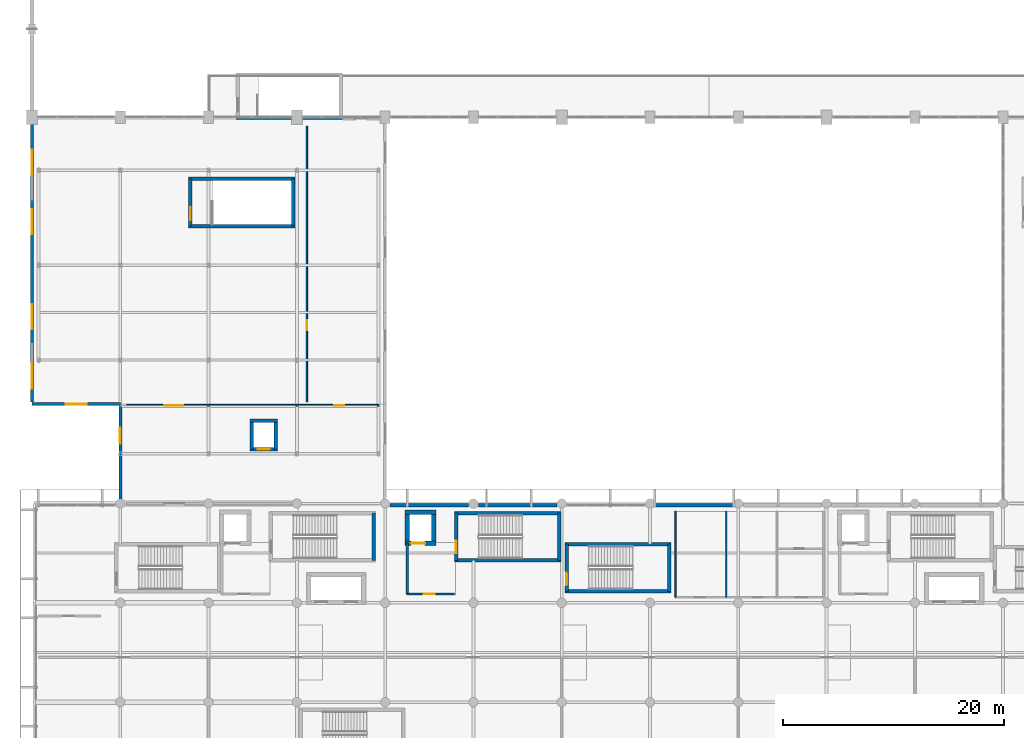
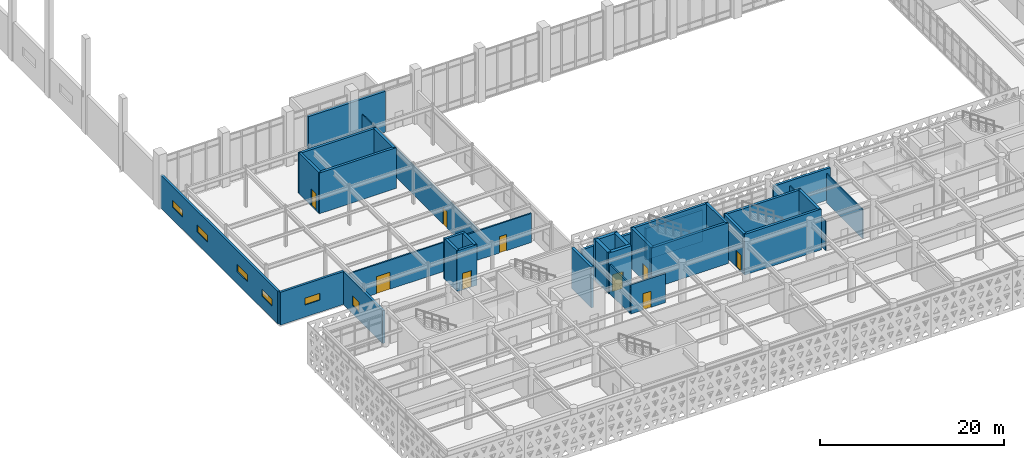
# One storey, part 62 of 84: 34 walls, 9 doors, 6 windows, 15 openings.
"""IFC4 building model written with IfcOpenShell, lengths in metres."""

import ifcopenshell
import ifcopenshell.guid

model = None  # the IFC model being written
_history = None  # IfcOwnerHistory: only IFC2X3 demands one
_inside = {}  # id of a spatial element -> (the spatial element, [elements in it])
_under = {}  # id of a project, library or spatial element -> (it, [spatial elements below it])
_declared = {}  # id of a project -> (the project, [libraries it declares])
_typed = {}  # id of a type object -> (the type object, [elements of that type])
_made_of = {}  # id of a material, layer set ... -> (it, [elements and type objects made of it])


def new_model(schema):
    """Start an empty IFC model of exactly this schema.

    Asked for "IFC4X3", IfcOpenShell would pick the latest addendum, in which some entities
    have other attributes; the version numbers below select the first issue.
    IFC2X3 requires an IfcOwnerHistory on every rooted entity: one is made here for all.
    """
    global model, _history
    if schema == "IFC4X3":
        model = ifcopenshell.file(schema_version=(4, 3, 0, 0))
    else:
        model = ifcopenshell.file(schema=schema)
    _inside.clear()
    _under.clear()
    _declared.clear()
    _typed.clear()
    _made_of.clear()
    _history = None
    if model.schema == "IFC2X3":
        org = make("IfcOrganization", Name="unknown")
        user = make(
            "IfcPersonAndOrganization",
            ThePerson=make("IfcPerson", FamilyName="unknown"),
            TheOrganization=org,
        )
        app = make(
            "IfcApplication",
            ApplicationDeveloper=org,
            Version="unknown",
            ApplicationFullName="unknown",
            ApplicationIdentifier="unknown",
        )
        _history = make(
            "IfcOwnerHistory",
            OwningUser=user,
            OwningApplication=app,
            ChangeAction="ADDED",
            CreationDate=0,
        )
    return model


def make(cls, **values):
    """One entity of the class cls with the attributes given. An attribute that is None is left unset."""
    return model.create_entity(
        cls, **{name: value for name, value in values.items() if value is not None}
    )


def rooted(cls, **values):
    """An entity with a GlobalId (a new one), such as an element, a storey or a relation."""
    return make(cls, GlobalId=ifcopenshell.guid.new(), OwnerHistory=_history, **values)


def si_unit(unit_type, name, prefix=None):
    """IfcSIUnit, for example si_unit("LENGTHUNIT", "METRE", prefix="MILLI")."""
    return make("IfcSIUnit", UnitType=unit_type, Prefix=prefix, Name=name)


def assignment(units):
    """IfcUnitAssignment: the units of a project."""
    return None if units is None else make("IfcUnitAssignment", Units=units)


def point(xyz):
    """IfcCartesianPoint."""
    return None if xyz is None else make("IfcCartesianPoint", Coordinates=xyz)


def direction(xyz):
    """IfcDirection."""
    return None if xyz is None else make("IfcDirection", DirectionRatios=xyz)


def frame(location, z_axis=None, x_axis=None):
    """IfcAxis2Placement3D, a coordinate frame: its origin and axes. An axis left out is left unset."""
    return make(
        "IfcAxis2Placement3D",
        Location=point(location),
        Axis=direction(z_axis),
        RefDirection=direction(x_axis),
    )


def frame_2d(location, x_axis=None):
    """IfcAxis2Placement2D, a coordinate frame in the plane: its origin and x axis."""
    return make(
        "IfcAxis2Placement2D", Location=point(location), RefDirection=direction(x_axis)
    )


def origin():
    """The frame at (0, 0, 0) with its axes left unset."""
    return frame((0.0, 0.0, 0.0))


def place(relative_to, where):
    """IfcLocalPlacement: puts the frame where relative to a parent placement (None: the world)."""
    return make(
        "IfcLocalPlacement", PlacementRelTo=relative_to, RelativePlacement=where
    )


def context(
    kind, dimensions, precision=None, world=None, true_north=None, identifier=None
):
    """IfcGeometricRepresentationContext, for example the 3D "Model" context."""
    return make(
        "IfcGeometricRepresentationContext",
        ContextIdentifier=identifier,
        ContextType=kind,
        CoordinateSpaceDimension=dimensions,
        Precision=precision,
        WorldCoordinateSystem=world,
        TrueNorth=true_north,
    )


def subcontext(parent, identifier, kind, view, scale=None):
    """IfcGeometricRepresentationSubContext, for example "Body" below "Model"."""
    return make(
        "IfcGeometricRepresentationSubContext",
        ContextIdentifier=identifier,
        ContextType=kind,
        ParentContext=parent,
        TargetScale=scale,
        TargetView=view,
    )


def project(units=None, contexts=None):
    """IfcProject with its units and contexts."""
    return rooted(
        "IfcProject",
        Name="project",
        RepresentationContexts=contexts,
        UnitsInContext=assignment(units),
    )


def spatial(cls, under=None, at=None, **own):
    """A site, building, storey or space (cls), placed at a placement, below another one or the project."""
    s = rooted(cls, ObjectPlacement=at, **own)
    if under is not None:
        _under.setdefault(under.id(), (under, []))[1].append(s)
    return s


def profile(cls, at=None, kind="AREA", **sizes):
    """A parametric profile (cls). Its sizes go by their IFC names, for example OverallWidth=200.0."""
    return make(cls, ProfileType=kind, Position=at, **sizes)


def rectangle(**sizes):
    """IfcRectangleProfileDef."""
    return profile("IfcRectangleProfileDef", **sizes)


def extrude(swept, where, along, depth):
    """IfcExtrudedAreaSolid: the profile swept, set in the frame where, extruded along a direction by depth."""
    return make(
        "IfcExtrudedAreaSolid",
        SweptArea=swept,
        Position=where,
        ExtrudedDirection=direction(along),
        Depth=depth,
    )


def shape(context_of_items, identifier, shape_type, items):
    """IfcShapeRepresentation: the items that make up one representation, for example the "Body"."""
    return make(
        "IfcShapeRepresentation",
        ContextOfItems=context_of_items,
        RepresentationIdentifier=identifier,
        RepresentationType=shape_type,
        Items=items,
    )


def material(Name=None, Category=None):
    """IfcMaterial."""
    return make("IfcMaterial", Name=Name, Category=Category)


def layer(
    of_material, thickness, ventilated=None, Name=None, Category=None, Priority=None
):
    """IfcMaterialLayer: one layer of a wall or slab, of a material (None: an air gap)."""
    return make(
        "IfcMaterialLayer",
        Material=of_material,
        LayerThickness=thickness,
        IsVentilated=ventilated,
        Name=Name,
        Category=Category,
        Priority=Priority,
    )


def layer_set(layers, Name=None):
    """IfcMaterialLayerSet."""
    return make("IfcMaterialLayerSet", MaterialLayers=layers, LayerSetName=Name)


def made_of(thing, what):
    """Note that an element or type object is made of a material, layer set ...; save() writes the relation."""
    if what is not None:
        _made_of.setdefault(what.id(), (what, []))[1].append(thing)
    return thing


def type_object(cls, material=None, **own):
    """A type object (cls), such as IfcWallType, which elements share."""
    return made_of(rooted(cls, **own), material)


def element(
    cls,
    number,
    at=None,
    inside=None,
    cuts=None,
    type_object=None,
    material=None,
    context=None,
    identifier="Body",
    shape_type=None,
    held_by="IfcProductDefinitionShape",
    body=None,
    shapes=None,
    **own,
):
    """One element of the class cls, such as IfcWall. Its Tag is "e" and its number.

    at: its placement. inside: the storey or other place that contains it. cuts: it is an
    opening in that element (IfcRelVoidsElement). A single representation is given by context,
    identifier, shape_type and body (its items); several are given by shapes. held_by: the class
    of the entity that holds the representations. save() writes the other relations.
    """
    e = rooted(cls, Tag="e%d" % number, ObjectPlacement=at, **own)
    if body is not None:
        shapes = [shape(context, identifier, shape_type, body)]
    if shapes is not None:
        e.Representation = make(held_by, Representations=shapes)
    if inside is not None:
        _inside.setdefault(inside.id(), (inside, []))[1].append(e)
    if cuts is not None:
        rooted(
            "IfcRelVoidsElement", RelatingBuildingElement=cuts, RelatedOpeningElement=e
        )
    if type_object is not None:
        _typed.setdefault(type_object.id(), (type_object, []))[1].append(e)
    return made_of(e, material)


def fill(opening, filler):
    """IfcRelFillsElement: the door or window that sits in an opening."""
    return rooted(
        "IfcRelFillsElement",
        RelatingOpeningElement=opening,
        RelatedBuildingElement=filler,
    )


def aggregate(whole, parts):
    """IfcRelAggregates: a whole, such as a stair, and the parts it consists of."""
    return rooted("IfcRelAggregates", RelatingObject=whole, RelatedObjects=parts)


def save(model, path):
    """Write the relations noted so far, then the file.

    IfcRelAggregates (storeys below a building ...), IfcRelContainedInSpatialStructure (elements
    in a storey), IfcRelDefinesByType, IfcRelAssociatesMaterial and IfcRelDeclares: one each for
    every whole, place, type object, material and project.
    """
    for whole, parts in _under.values():
        aggregate(whole, parts)
    for where, things in _inside.values():
        rooted(
            "IfcRelContainedInSpatialStructure",
            RelatedElements=things,
            RelatingStructure=where,
        )
    for kind, things in _typed.values():
        rooted("IfcRelDefinesByType", RelatedObjects=things, RelatingType=kind)
    for what, things in _made_of.values():
        rooted("IfcRelAssociatesMaterial", RelatedObjects=things, RelatingMaterial=what)
    for by, libraries in _declared.values():
        rooted("IfcRelDeclares", RelatingContext=by, RelatedDefinitions=libraries)
    model.write(path)


model = new_model("IFC4")

# Units and contexts
model_context = context("Model", 3, precision=1e-05, world=origin(), true_north=direction((0.0, 1.0)))
body_context = subcontext(model_context, "Body", "Model", "MODEL_VIEW")
ifc_project = project(units=[si_unit("LENGTHUNIT", "METRE"), si_unit("AREAUNIT", "SQUARE_METRE"), si_unit("VOLUMEUNIT", "CUBIC_METRE"), si_unit("PLANEANGLEUNIT", "RADIAN"), si_unit("MASSUNIT", "GRAM", prefix="KILO")], contexts=[model_context])

# Site, building, storey
site_placement = place(None, origin())
site = spatial("IfcSite", under=ifc_project, at=site_placement, CompositionType="ELEMENT")
building_placement = place(site_placement, origin())
building = spatial("IfcBuilding", under=site, at=building_placement, Name="Tlacozan Convention Centre", CompositionType="ELEMENT")
storey_placement = place(building_placement, frame((0.0, 0.0, 6.0)))
storey = spatial("IfcBuildingStorey", under=building, at=storey_placement, Name="L01", CompositionType="ELEMENT", Elevation=6.0)

# Walls
ifc_material_1 = material(Name="Volcanic Cantera Stone Masonry", Category="masonry")
ifc_layer_1 = layer(ifc_material_1, 0.300048828125)
ifc_layer_set_1 = layer_set([ifc_layer_1], Name="Volcanic Cantera Stone Masonry")
wall_type_1 = type_object("IfcWallType", Name="Congress Spandrel Backup Wall 300", PredefinedType="SOLIDWALL", material=ifc_layer_set_1)
for number, where, z_axis, x_axis, name in (
    (1, (32.449951171875, 26.840087890625, 0.0), (0.0, 0.0, 1.0), (1.0, 0.0, 0.0), "L01 Congress Spandrel Backup Wall 300 110"),
    (2, (40.449951171875, 26.840087890625, 0.0), (0.0, 0.0, 1.0), (1.0, 0.0, 0.0), "L01 Congress Spandrel Backup Wall 300 111"),
    (3, (56.449951171875, 26.840087890625, 0.0), (0.0, 0.0, 1.0), (1.0, 0.0, 0.0), "L01 Congress Spandrel Backup Wall 300 112"),
):
    element("IfcWall", number, at=place(storey_placement, frame(where, z_axis=z_axis, x_axis=x_axis)), inside=storey, type_object=wall_type_1, Name=name, PredefinedType="SOLIDWALL", context=body_context, shape_type="SweptSolid", body=[
        extrude(rectangle(XDim=7.10009765625, YDim=0.300048828125, at=frame_2d((3.550048828125, 0.0))), origin(), (0.0, 0.0, 1.0), 4.179931640625),
    ])

# Wall, opening, door
ifc_material_2 = material(Name="Concrete C40/50", Category="concrete")
ifc_layer_2 = layer(ifc_material_2, 0.409912109375)
ifc_layer_set_2 = layer_set([ifc_layer_2], Name="Concrete C40/50")
wall_type_2 = type_object("IfcWallType", Name="Core Shear Wall RC 410", PredefinedType="SHEAR", material=ifc_layer_set_2)
wall_1_placement = place(storey_placement, frame((33.77490234375, 23.3798828125, 0.0), z_axis=(0.0, 0.0, 1.0), x_axis=(1.0, 0.0, 0.0)))
wall_1 = element("IfcWall", 4, at=wall_1_placement, inside=storey, type_object=wall_type_2, Name="L01 Core Shear Wall RC 410 195", PredefinedType="SHEAR", context=body_context, shape_type="SweptSolid", body=[
    extrude(rectangle(XDim=2.85009765625, YDim=0.409912109375, at=frame_2d((1.425048828125, 0.0))), origin(), (0.0, 0.0, 1.0), 5.39990234375),
])
opening_1_placement = place(wall_1_placement, frame((0.550048828125, 0.0, 0.0)))
opening_1 = element("IfcOpeningElement", 5, at=opening_1_placement, cuts=wall_1, Name="Opening LD-02", PredefinedType="OPENING", context=body_context, shape_type="SweptSolid", body=[
    extrude(rectangle(XDim=1.300048828125, YDim=2.25, at=frame_2d((0.64990234375, 1.125))), frame((0.0, 0.21484375, 0.0), z_axis=(0.0, -1.0, 0.0), x_axis=(1.0, 0.0, 0.0)), (0.0, 0.0, 1.0), 0.429931640625),
])
ifc_material_3 = material(Name="Brushed Stainless Steel Sliding Landing Door", Category="steel")
door_type_1 = type_object("IfcDoorType", Name="Firefighting Lift Sliding Door 1300x2250", OperationType="DOUBLE_DOOR_SLIDING", PredefinedType="DOOR", material=ifc_material_3)
door_1_placement = place(opening_1_placement, origin())
door_1 = element("IfcDoor", 6, at=door_1_placement, inside=storey, type_object=door_type_1, Name="L01 Firefighting Lift FL-03 Landing Door", OperationType="DOUBLE_DOOR_SLIDING", OverallHeight=2.25, OverallWidth=1.300048828125, PredefinedType="DOOR", context=body_context, shape_type="SweptSolid", body=[
    extrude(rectangle(XDim=1.300048828125, YDim=2.25, at=frame_2d((0.64990234375, 1.125))), frame((0.0, 0.02490234375, 0.0), z_axis=(0.0, -1.0, 0.0), x_axis=(1.0, 0.0, 0.0)), (0.0, 0.0, 1.0), 0.050048828125),
])
fill(opening_1, door_1)

# Walls
wall_2_placement = place(storey_placement, frame((33.77490234375, 26.219970703125, 0.0), z_axis=(0.0, 0.0, 1.0), x_axis=(1.0, 0.0, 0.0)))
element("IfcWall", 7, at=wall_2_placement, inside=storey, type_object=wall_type_2, Name="L01 Core Shear Wall RC 410 196", PredefinedType="SHEAR", context=body_context, shape_type="SweptSolid", body=[
    extrude(rectangle(XDim=2.85009765625, YDim=0.409912109375, at=frame_2d((1.425048828125, 0.0))), origin(), (0.0, 0.0, 1.0), 5.39990234375),
])
for number, where, z_axis, x_axis, name in (
    (8, (33.97998046875, 23.3798828125, 0.0), (0.0, 0.0, 1.0), (0.0, 1.0, 0.0), "L01 Core Shear Wall RC 410 197"),
    (9, (36.419921875, 23.3798828125, 0.0), (0.0, 0.0, 1.0), (0.0, 1.0, 0.0), "L01 Core Shear Wall RC 410 198"),
):
    element("IfcWall", number, at=place(storey_placement, frame(where, z_axis=z_axis, x_axis=x_axis)), inside=storey, type_object=wall_type_2, Name=name, PredefinedType="SHEAR", context=body_context, shape_type="SweptSolid", body=[
        extrude(rectangle(XDim=2.840087890625, YDim=0.409912109375, at=frame_2d((1.419921875, 0.0))), origin(), (0.0, 0.0, 1.0), 5.39990234375),
    ])

# Wall, openings, doors
ifc_material_4 = material(Name="Fire-Rated Gypsum Stud Partition Assembly")
ifc_layer_3 = layer(ifc_material_4, 0.179931640625)
ifc_layer_set_3 = layer_set([ifc_layer_3], Name="Fire-Rated Gypsum Stud Partition Assembly")
wall_type_3 = type_object("IfcWallType", Name="Corridor Rated Partition 180", PredefinedType="PARTITIONING", material=ifc_layer_set_3)
wall_3_placement = place(storey_placement, frame((8.60009765625, 35.89990234375, 0.0), z_axis=(0.0, 0.0, 1.0), x_axis=(1.0, 0.0, 0.0)))
wall_3 = element("IfcWall", 10, at=wall_3_placement, inside=storey, type_object=wall_type_3, Name="L01 Corridor Rated Partition 180 628", PredefinedType="PARTITIONING", context=body_context, shape_type="SweptSolid", body=[
    extrude(rectangle(XDim=22.7998046875, YDim=0.179931640625, at=frame_2d((11.39990234375, 0.0))), origin(), (0.0, 0.0, 1.0), 3.85009765625),
])
opening_2_placement = place(wall_3_placement, frame((3.39990234375, 0.0, 0.0)))
opening_2 = element("IfcOpeningElement", 11, at=opening_2_placement, cuts=wall_3, Name="Opening ID-11", PredefinedType="OPENING", context=body_context, shape_type="SweptSolid", body=[
    extrude(rectangle(XDim=1.699951171875, YDim=2.25, at=frame_2d((0.85009765625, 1.125))), frame((0.0, 0.099853515625, 0.0), z_axis=(0.0, -1.0, 0.0), x_axis=(1.0, 0.0, 0.0)), (0.0, 0.0, 1.0), 0.199951171875),
])
opening_3_placement = place(wall_3_placement, frame((18.800048828125, 0.0, 0.0)))
opening_3 = element("IfcOpeningElement", 12, at=opening_3_placement, cuts=wall_3, Name="Opening ID-03", PredefinedType="OPENING", context=body_context, shape_type="SweptSolid", body=[
    extrude(rectangle(XDim=0.89990234375, YDim=2.14990234375, at=frame_2d((0.449951171875, 1.074951171875))), frame((0.0, 0.099853515625, 0.0), z_axis=(0.0, -1.0, 0.0), x_axis=(1.0, 0.0, 0.0)), (0.0, 0.0, 1.0), 0.199951171875),
])
ifc_material_5 = material(Name="Acoustic Solid-Core Oak Veneer Door")
door_type_2 = type_object("IfcDoorType", Name="Banquet Kitchen Double Swing Door 1700x2250", OperationType="DOUBLE_SWING_LEFT", PredefinedType="DOOR", material=ifc_material_5)
door_2_placement = place(opening_2_placement, origin())
door_2 = element("IfcDoor", 13, at=door_2_placement, inside=storey, type_object=door_type_2, Name="L01 Banquet Kitchen Double Swing Door 1700x2250 230", OperationType="DOUBLE_SWING_LEFT", OverallHeight=2.25, OverallWidth=1.699951171875, PredefinedType="DOOR", context=body_context, shape_type="SweptSolid", body=[
    extrude(rectangle(XDim=1.699951171875, YDim=2.25, at=frame_2d((0.85009765625, 1.125))), frame((0.0, 0.02490234375, 0.0), z_axis=(0.0, -1.0, 0.0), x_axis=(1.0, 0.0, 0.0)), (0.0, 0.0, 1.0), 0.050048828125),
])
fill(opening_2, door_2)
door_type_3 = type_object("IfcDoorType", Name="Office Single Door 900x2150", OperationType="NOTDEFINED", PredefinedType="DOOR", material=ifc_material_5)
door_3_placement = place(opening_3_placement, origin())
door_3 = element("IfcDoor", 14, at=door_3_placement, inside=storey, type_object=door_type_3, Name="L01 Office Single Door 900x2150 231", OperationType="SINGLE_SWING_RIGHT", OverallHeight=2.14990234375, OverallWidth=0.89990234375, PredefinedType="DOOR", context=body_context, shape_type="SweptSolid", body=[
    extrude(rectangle(XDim=0.89990234375, YDim=2.14990234375, at=frame_2d((0.449951171875, 1.074951171875))), frame((0.0, 0.02490234375, 0.0), z_axis=(0.0, -1.0, 0.0), x_axis=(1.0, 0.0, 0.0)), (0.0, 0.0, 1.0), 0.050048828125),
])
fill(opening_3, door_3)

# Wall, opening, door
ifc_layer_4 = layer(ifc_material_4, 0.2099609375)
ifc_layer_set_4 = layer_set([ifc_layer_4], Name="Fire-Rated Gypsum Stud Partition Assembly")
wall_type_4 = type_object("IfcWallType", Name="Firefighting Lobby Rated Wall 210", PredefinedType="PARTITIONING", material=ifc_layer_set_4)
wall_4_placement = place(storey_placement, frame((34.0, 18.800048828125, 0.0), z_axis=(0.0, 0.0, 1.0), x_axis=(1.0, 0.0, 0.0)))
wall_4 = element("IfcWall", 15, at=wall_4_placement, inside=storey, type_object=wall_type_4, Name="L01 Firefighting Lobby Rated Wall 210 193", PredefinedType="PARTITIONING", context=body_context, shape_type="SweptSolid", body=[
    extrude(rectangle(XDim=4.300048828125, YDim=0.2099609375, at=frame_2d((2.14990234375, 0.0))), origin(), (0.0, 0.0, 1.0), 3.85009765625),
])
opening_4_placement = place(wall_4_placement, frame((1.5, 0.0, 0.0)))
opening_4 = element("IfcOpeningElement", 16, at=opening_4_placement, cuts=wall_4, Name="Opening FD-01", PredefinedType="OPENING", context=body_context, shape_type="SweptSolid", body=[
    extrude(rectangle(XDim=1.0, YDim=2.14990234375, at=frame_2d((0.5, 1.074951171875))), frame((0.0, 0.114990234375, 0.0), z_axis=(0.0, -1.0, 0.0), x_axis=(1.0, 0.0, 0.0)), (0.0, 0.0, 1.0), 0.22998046875),
])
ifc_material_6 = material(Name="Fire-Rated Insulated Steel Door Leaf", Category="steel")
door_type_4 = type_object("IfcDoorType", Name="Fire Door Single 1000x2150 FD90", OperationType="NOTDEFINED", PredefinedType="DOOR", material=ifc_material_6)
door_4_placement = place(opening_4_placement, origin())
door_4 = element("IfcDoor", 17, at=door_4_placement, inside=storey, type_object=door_type_4, Name="L01 CORE-3 Firefighting Lobby Entry Door", OperationType="SINGLE_SWING_LEFT", OverallHeight=2.14990234375, OverallWidth=1.0, PredefinedType="DOOR", context=body_context, shape_type="SweptSolid", body=[
    extrude(rectangle(XDim=1.0, YDim=2.14990234375, at=frame_2d((0.5, 1.074951171875))), frame((0.0, 0.02490234375, 0.0), z_axis=(0.0, -1.0, 0.0), x_axis=(1.0, 0.0, 0.0)), (0.0, 0.0, 1.0), 0.050048828125),
])
fill(opening_4, door_4)

# Wall
wall_5_placement = place(storey_placement, frame((34.0, 18.800048828125, 0.0), z_axis=(0.0, 0.0, 1.0), x_axis=(0.0, 1.0, 0.0)))
element("IfcWall", 18, at=wall_5_placement, inside=storey, type_object=wall_type_4, Name="L01 Firefighting Lobby Rated Wall 210 194", PredefinedType="PARTITIONING", context=body_context, shape_type="SweptSolid", body=[
    extrude(rectangle(XDim=4.599853515625, YDim=0.2099609375, at=frame_2d((2.2998046875, 0.0))), origin(), (0.0, 0.0, 1.0), 3.85009765625),
])

# Wall, opening, window
ifc_material_7 = material(Name="Pale Lime-Render Masonry Assembly", Category="masonry")
ifc_layer_5 = layer(ifc_material_7, 0.280029296875)
ifc_layer_set_5 = layer_set([ifc_layer_5], Name="Pale Lime-Render Masonry Assembly")
wall_type_5 = type_object("IfcWallType", Name="Pale-Render Service Wing Wall 280", PredefinedType="SOLIDWALL", material=ifc_layer_set_5)
wall_6_placement = place(storey_placement, frame((0.0, 36.0, 0.0), z_axis=(0.0, 0.0, 1.0), x_axis=(1.0, 0.0, 0.0)))
wall_6 = element("IfcWall", 19, at=wall_6_placement, inside=storey, type_object=wall_type_5, Name="L01 Pale-Render Service Wing Wall 280 196", PredefinedType="SOLIDWALL", context=body_context, shape_type="SweptSolid", body=[
    extrude(rectangle(XDim=8.0, YDim=0.280029296875, at=frame_2d((4.0, 0.0))), origin(), (0.0, 0.0, 1.0), 4.35009765625),
])
opening_5_placement = place(wall_6_placement, frame((3.050048828125, 0.0, 1.60009765625)))
opening_5 = element("IfcOpeningElement", 20, at=opening_5_placement, cuts=wall_6, Name="Opening WN-14", PredefinedType="OPENING", context=body_context, shape_type="SweptSolid", body=[
    extrude(rectangle(XDim=1.89990234375, YDim=0.89990234375, at=frame_2d((0.949951171875, 0.449951171875))), frame((0.0, 0.14990234375, 0.0), z_axis=(0.0, -1.0, 0.0), x_axis=(1.0, 0.0, 0.0)), (0.0, 0.0, 1.0), 0.300048828125),
])
ifc_material_8 = material(Name="Solar Control Double Low-E Argon Glazing", Category="glass")
window_type_1 = type_object("IfcWindowType", Name="Kitchen Ventilation Window 1900x900", PartitioningType="SINGLE_PANEL", PredefinedType="WINDOW", material=ifc_material_8)
window_1_placement = place(opening_5_placement, origin())
window_1 = element("IfcWindow", 21, at=window_1_placement, inside=storey, type_object=window_type_1, Name="L01 Kitchen Ventilation Window 1900x900 64", OverallHeight=0.89990234375, OverallWidth=1.89990234375, PartitioningType="SINGLE_PANEL", PredefinedType="WINDOW", context=body_context, shape_type="SweptSolid", body=[
    extrude(rectangle(XDim=1.89990234375, YDim=0.89990234375, at=frame_2d((0.949951171875, 0.449951171875))), frame((0.0, 0.030029296875, 0.0), z_axis=(0.0, -1.0, 0.0), x_axis=(1.0, 0.0, 0.0)), (0.0, 0.0, 1.0), 0.06005859375),
])
fill(opening_5, window_1)

# Wall, openings, windows
wall_7_placement = place(storey_placement, frame((0.0, 36.199951171875, 0.0), z_axis=(0.0, 0.0, 1.0), x_axis=(0.0, 1.0, 0.0)))
wall_7 = element("IfcWall", 22, at=wall_7_placement, inside=storey, type_object=wall_type_5, Name="L01 Pale-Render Service Wing Wall 280 198", PredefinedType="SOLIDWALL", context=body_context, shape_type="SweptSolid", body=[
    extrude(rectangle(XDim=25.400146484375, YDim=0.280029296875, at=frame_2d((12.7001953125, 0.0))), origin(), (0.0, 0.0, 1.0), 4.35009765625),
])
opening_6_placement = place(wall_7_placement, frame((1.199951171875, 0.0, 1.60009765625)))
opening_6 = element("IfcOpeningElement", 23, at=opening_6_placement, cuts=wall_7, Name="Opening WN-13", PredefinedType="OPENING", context=body_context, shape_type="SweptSolid", body=[
    extrude(rectangle(XDim=2.25, YDim=0.949951171875, at=frame_2d((1.125, 0.47509765625))), frame((0.0, 0.14990234375, 0.0), z_axis=(0.0, -1.0, 0.0), x_axis=(1.0, 0.0, 0.0)), (0.0, 0.0, 1.0), 0.300048828125),
])
opening_7_placement = place(wall_7_placement, frame((6.60009765625, 0.0, 1.60009765625)))
opening_7 = element("IfcOpeningElement", 24, at=opening_7_placement, cuts=wall_7, Name="Opening WN-13", PredefinedType="OPENING", context=body_context, shape_type="SweptSolid", body=[
    extrude(rectangle(XDim=2.25, YDim=0.949951171875, at=frame_2d((1.125, 0.47509765625))), frame((0.0, 0.14990234375, 0.0), z_axis=(0.0, -1.0, 0.0), x_axis=(1.0, 0.0, 0.0)), (0.0, 0.0, 1.0), 0.300048828125),
])
opening_8_placement = place(wall_7_placement, frame((15.199951171875, 0.0, 1.60009765625)))
opening_8 = element("IfcOpeningElement", 25, at=opening_8_placement, cuts=wall_7, Name="Opening WN-13", PredefinedType="OPENING", context=body_context, shape_type="SweptSolid", body=[
    extrude(rectangle(XDim=2.25, YDim=0.949951171875, at=frame_2d((1.125, 0.47509765625))), frame((0.0, 0.14990234375, 0.0), z_axis=(0.0, -1.0, 0.0), x_axis=(1.0, 0.0, 0.0)), (0.0, 0.0, 1.0), 0.300048828125),
])
opening_9_placement = place(wall_7_placement, frame((20.60009765625, 0.0, 1.60009765625)))
opening_9 = element("IfcOpeningElement", 26, at=opening_9_placement, cuts=wall_7, Name="Opening WN-13", PredefinedType="OPENING", context=body_context, shape_type="SweptSolid", body=[
    extrude(rectangle(XDim=2.25, YDim=0.949951171875, at=frame_2d((1.125, 0.47509765625))), frame((0.0, 0.14990234375, 0.0), z_axis=(0.0, -1.0, 0.0), x_axis=(1.0, 0.0, 0.0)), (0.0, 0.0, 1.0), 0.300048828125),
])
window_type_2 = type_object("IfcWindowType", Name="Kitchen High-Level Window 2250x950", PartitioningType="SINGLE_PANEL", PredefinedType="WINDOW", material=ifc_material_8)
window_2_placement = place(opening_6_placement, origin())
window_2 = element("IfcWindow", 27, at=window_2_placement, inside=storey, type_object=window_type_2, Name="L01 Kitchen High-Level Window 1", OverallHeight=0.949951171875, OverallWidth=2.25, PartitioningType="SINGLE_PANEL", PredefinedType="WINDOW", context=body_context, shape_type="SweptSolid", body=[
    extrude(rectangle(XDim=2.25, YDim=0.949951171875, at=frame_2d((1.125, 0.47509765625))), frame((0.0, 0.030029296875, 0.0), z_axis=(0.0, -1.0, 0.0), x_axis=(1.0, 0.0, 0.0)), (0.0, 0.0, 1.0), 0.06005859375),
])
fill(opening_6, window_2)
window_3_placement = place(opening_7_placement, origin())
window_3 = element("IfcWindow", 28, at=window_3_placement, inside=storey, type_object=window_type_2, Name="L01 Kitchen High-Level Window 2", OverallHeight=0.949951171875, OverallWidth=2.25, PartitioningType="SINGLE_PANEL", PredefinedType="WINDOW", context=body_context, shape_type="SweptSolid", body=[
    extrude(rectangle(XDim=2.25, YDim=0.949951171875, at=frame_2d((1.125, 0.47509765625))), frame((0.0, 0.030029296875, 0.0), z_axis=(0.0, -1.0, 0.0), x_axis=(1.0, 0.0, 0.0)), (0.0, 0.0, 1.0), 0.06005859375),
])
fill(opening_7, window_3)
window_4_placement = place(opening_8_placement, origin())
window_4 = element("IfcWindow", 29, at=window_4_placement, inside=storey, type_object=window_type_2, Name="L01 Kitchen High-Level Window 3", OverallHeight=0.949951171875, OverallWidth=2.25, PartitioningType="SINGLE_PANEL", PredefinedType="WINDOW", context=body_context, shape_type="SweptSolid", body=[
    extrude(rectangle(XDim=2.25, YDim=0.949951171875, at=frame_2d((1.125, 0.47509765625))), frame((0.0, 0.030029296875, 0.0), z_axis=(0.0, -1.0, 0.0), x_axis=(1.0, 0.0, 0.0)), (0.0, 0.0, 1.0), 0.06005859375),
])
fill(opening_8, window_4)
window_5_placement = place(opening_9_placement, origin())
window_5 = element("IfcWindow", 30, at=window_5_placement, inside=storey, type_object=window_type_2, Name="L01 Kitchen High-Level Window 4", OverallHeight=0.949951171875, OverallWidth=2.25, PartitioningType="SINGLE_PANEL", PredefinedType="WINDOW", context=body_context, shape_type="SweptSolid", body=[
    extrude(rectangle(XDim=2.25, YDim=0.949951171875, at=frame_2d((1.125, 0.47509765625))), frame((0.0, 0.030029296875, 0.0), z_axis=(0.0, -1.0, 0.0), x_axis=(1.0, 0.0, 0.0)), (0.0, 0.0, 1.0), 0.06005859375),
])
fill(opening_9, window_5)

# Wall, opening, window
wall_8_placement = place(storey_placement, frame((8.0, 27.300048828125, 0.0), z_axis=(0.0, 0.0, 1.0), x_axis=(0.0, 1.0, 0.0)))
wall_8 = element("IfcWall", 31, at=wall_8_placement, inside=storey, type_object=wall_type_5, Name="L01 Pale-Render Service Wing Wall 280 200", PredefinedType="SOLIDWALL", context=body_context, shape_type="SweptSolid", body=[
    extrude(rectangle(XDim=8.5, YDim=0.280029296875, at=frame_2d((4.25, 0.0))), origin(), (0.0, 0.0, 1.0), 4.35009765625),
])
opening_10_placement = place(wall_8_placement, frame((5.125, 0.0, 1.10009765625)))
opening_10 = element("IfcOpeningElement", 32, at=opening_10_placement, cuts=wall_8, Name="Opening WN-12", PredefinedType="OPENING", context=body_context, shape_type="SweptSolid", body=[
    extrude(rectangle(XDim=1.449951171875, YDim=1.300048828125, at=frame_2d((0.72509765625, 0.64990234375))), frame((0.0, 0.14990234375, 0.0), z_axis=(0.0, -1.0, 0.0), x_axis=(1.0, 0.0, 0.0)), (0.0, 0.0, 1.0), 0.300048828125),
])
window_type_3 = type_object("IfcWindowType", Name="Service Wing Narrow Window 1450x1300", PartitioningType="SINGLE_PANEL", PredefinedType="WINDOW", material=ifc_material_8)
window_6_placement = place(opening_10_placement, origin())
window_6 = element("IfcWindow", 33, at=window_6_placement, inside=storey, type_object=window_type_3, Name="L01 Service Wing Narrow Window 1450x1300 66", OverallHeight=1.300048828125, OverallWidth=1.449951171875, PartitioningType="SINGLE_PANEL", PredefinedType="WINDOW", context=body_context, shape_type="SweptSolid", body=[
    extrude(rectangle(XDim=1.449951171875, YDim=1.300048828125, at=frame_2d((0.72509765625, 0.64990234375))), frame((0.0, 0.030029296875, 0.0), z_axis=(0.0, -1.0, 0.0), x_axis=(1.0, 0.0, 0.0)), (0.0, 0.0, 1.0), 0.06005859375),
])
fill(opening_10, window_6)

# Walls
ifc_material_9 = material(Name="Acoustic Double-Stud Partition Assembly")
ifc_layer_6 = layer(ifc_material_9, 0.1201171875)
ifc_layer_set_6 = layer_set([ifc_layer_6], Name="Acoustic Double-Stud Partition Assembly")
wall_type_6 = type_object("IfcWallType", Name="Sanitary Tile Partition 120", PredefinedType="PARTITIONING", material=ifc_layer_set_6)
for number, where, z_axis, x_axis, name in (
    (34, (58.300048828125, 18.5, 0.0), (0.0, 0.0, 1.0), (0.0, 1.0, 0.0), "L01 Sanitary Tile Partition 120 538"),
    (35, (62.89990234375, 18.5, 0.0), (0.0, 0.0, 1.0), (0.0, 1.0, 0.0), "L01 Sanitary Tile Partition 120 539"),
):
    element("IfcWall", number, at=place(storey_placement, frame(where, z_axis=z_axis, x_axis=x_axis)), inside=storey, type_object=wall_type_6, Name=name, PredefinedType="PARTITIONING", context=body_context, shape_type="SweptSolid", body=[
        extrude(rectangle(XDim=7.800048828125, YDim=0.1201171875, at=frame_2d((3.89990234375, 0.0))), origin(), (0.0, 0.0, 1.0), 3.85009765625),
    ])
ifc_layer_7 = layer(ifc_material_2, 0.31005859375)
ifc_layer_set_7 = layer_set([ifc_layer_7], Name="Concrete C40/50")
wall_type_7 = type_object("IfcWallType", Name="Stair Shaft Shear Wall RC 310", PredefinedType="SHEAR", material=ifc_layer_set_7)
wall_9_placement = place(storey_placement, frame((30.9599609375, 21.840087890625, 0.0), z_axis=(0.0, 0.0, 1.0), x_axis=(0.0, 1.0, 0.0)))
element("IfcWall", 36, at=wall_9_placement, inside=storey, type_object=wall_type_7, Name="L01 Stair Shaft Shear Wall RC 310 32", PredefinedType="SHEAR", context=body_context, shape_type="SweptSolid", body=[
    extrude(rectangle(XDim=4.280029296875, YDim=0.31005859375, at=frame_2d((2.14013671875, 0.0))), origin(), (0.0, 0.0, 1.0), 5.39990234375),
])
for number, where, z_axis, x_axis, name in (
    (37, (38.284912109375, 21.840087890625, 0.0), (0.0, 0.0, 1.0), (1.0, 0.0, 0.0), "L01 Stair Shaft Shear Wall RC 310 189"),
    (38, (38.284912109375, 26.1201171875, 0.0), (0.0, 0.0, 1.0), (1.0, 0.0, 0.0), "L01 Stair Shaft Shear Wall RC 310 190"),
):
    element("IfcWall", number, at=place(storey_placement, frame(where, z_axis=z_axis, x_axis=x_axis)), inside=storey, type_object=wall_type_7, Name=name, PredefinedType="SHEAR", context=body_context, shape_type="SweptSolid", body=[
        extrude(rectangle(XDim=9.630126953125, YDim=0.31005859375, at=frame_2d((4.81494140625, 0.0))), origin(), (0.0, 0.0, 1.0), 5.39990234375),
    ])

# Wall, opening, door
wall_10_placement = place(storey_placement, frame((38.43994140625, 21.840087890625, 0.0), z_axis=(0.0, 0.0, 1.0), x_axis=(0.0, 1.0, 0.0)))
wall_10 = element("IfcWall", 39, at=wall_10_placement, inside=storey, type_object=wall_type_7, Name="L01 Stair Shaft Shear Wall RC 310 191", PredefinedType="SHEAR", context=body_context, shape_type="SweptSolid", body=[
    extrude(rectangle(XDim=4.280029296875, YDim=0.31005859375, at=frame_2d((2.14013671875, 0.0))), origin(), (0.0, 0.0, 1.0), 5.39990234375),
])
opening_11_placement = place(wall_10_placement, frame((0.64990234375, 0.0, 0.0)))
opening_11 = element("IfcOpeningElement", 40, at=opening_11_placement, cuts=wall_10, Name="Opening FD-02", PredefinedType="OPENING", context=body_context, shape_type="SweptSolid", body=[
    extrude(rectangle(XDim=1.14990234375, YDim=2.199951171875, at=frame_2d((0.574951171875, 1.10009765625))), frame((0.0, 0.1650390625, 0.0), z_axis=(0.0, -1.0, 0.0), x_axis=(1.0, 0.0, 0.0)), (0.0, 0.0, 1.0), 0.330078125),
])
door_type_5 = type_object("IfcDoorType", Name="Fire Door Stair 1150x2200 FD90", OperationType="NOTDEFINED", PredefinedType="DOOR", material=ifc_material_6)
door_5_placement = place(opening_11_placement, origin())
door_5 = element("IfcDoor", 41, at=door_5_placement, inside=storey, type_object=door_type_5, Name="L01 Stair ST-04 Fire Door", OperationType="SINGLE_SWING_RIGHT", OverallHeight=2.199951171875, OverallWidth=1.14990234375, PredefinedType="DOOR", context=body_context, shape_type="SweptSolid", body=[
    extrude(rectangle(XDim=1.14990234375, YDim=2.199951171875, at=frame_2d((0.574951171875, 1.10009765625))), frame((0.0, 0.02490234375, 0.0), z_axis=(0.0, -1.0, 0.0), x_axis=(1.0, 0.0, 0.0)), (0.0, 0.0, 1.0), 0.050048828125),
])
fill(opening_11, door_5)

# Walls
wall_11_placement = place(storey_placement, frame((47.760009765625, 21.840087890625, 0.0), z_axis=(0.0, 0.0, 1.0), x_axis=(0.0, 1.0, 0.0)))
element("IfcWall", 42, at=wall_11_placement, inside=storey, type_object=wall_type_7, Name="L01 Stair Shaft Shear Wall RC 310 192", PredefinedType="SHEAR", context=body_context, shape_type="SweptSolid", body=[
    extrude(rectangle(XDim=4.280029296875, YDim=0.31005859375, at=frame_2d((2.14013671875, 0.0))), origin(), (0.0, 0.0, 1.0), 5.39990234375),
])
for number, where, z_axis, x_axis, name in (
    (43, (48.284912109375, 19.0400390625, 0.0), (0.0, 0.0, 1.0), (1.0, 0.0, 0.0), "L01 Stair Shaft Shear Wall RC 310 317"),
    (44, (48.284912109375, 23.320068359375, 0.0), (0.0, 0.0, 1.0), (1.0, 0.0, 0.0), "L01 Stair Shaft Shear Wall RC 310 318"),
):
    element("IfcWall", number, at=place(storey_placement, frame(where, z_axis=z_axis, x_axis=x_axis)), inside=storey, type_object=wall_type_7, Name=name, PredefinedType="SHEAR", context=body_context, shape_type="SweptSolid", body=[
        extrude(rectangle(XDim=9.630126953125, YDim=0.31005859375, at=frame_2d((4.81494140625, 0.0))), origin(), (0.0, 0.0, 1.0), 5.39990234375),
    ])

# Wall, opening, door
wall_12_placement = place(storey_placement, frame((48.43994140625, 19.0400390625, 0.0), z_axis=(0.0, 0.0, 1.0), x_axis=(0.0, 1.0, 0.0)))
wall_12 = element("IfcWall", 45, at=wall_12_placement, inside=storey, type_object=wall_type_7, Name="L01 Stair Shaft Shear Wall RC 310 319", PredefinedType="SHEAR", context=body_context, shape_type="SweptSolid", body=[
    extrude(rectangle(XDim=4.280029296875, YDim=0.31005859375, at=frame_2d((2.14013671875, 0.0))), origin(), (0.0, 0.0, 1.0), 5.39990234375),
])
opening_12_placement = place(wall_12_placement, frame((0.550048828125, 0.0, 0.0)))
opening_12 = element("IfcOpeningElement", 46, at=opening_12_placement, cuts=wall_12, Name="Opening FD-02", PredefinedType="OPENING", context=body_context, shape_type="SweptSolid", body=[
    extrude(rectangle(XDim=1.14990234375, YDim=2.199951171875, at=frame_2d((0.574951171875, 1.10009765625))), frame((0.0, 0.1650390625, 0.0), z_axis=(0.0, -1.0, 0.0), x_axis=(1.0, 0.0, 0.0)), (0.0, 0.0, 1.0), 0.330078125),
])
door_6_placement = place(opening_12_placement, origin())
door_6 = element("IfcDoor", 47, at=door_6_placement, inside=storey, type_object=door_type_5, Name="L01 Stair ST-14 Access Door", OperationType="SINGLE_SWING_RIGHT", OverallHeight=2.199951171875, OverallWidth=1.14990234375, PredefinedType="DOOR", context=body_context, shape_type="SweptSolid", body=[
    extrude(rectangle(XDim=1.14990234375, YDim=2.199951171875, at=frame_2d((0.574951171875, 1.10009765625))), frame((0.0, 0.02490234375, 0.0), z_axis=(0.0, -1.0, 0.0), x_axis=(1.0, 0.0, 0.0)), (0.0, 0.0, 1.0), 0.050048828125),
])
fill(opening_12, door_6)

# Walls
wall_13_placement = place(storey_placement, frame((57.760009765625, 19.0400390625, 0.0), z_axis=(0.0, 0.0, 1.0), x_axis=(0.0, 1.0, 0.0)))
element("IfcWall", 48, at=wall_13_placement, inside=storey, type_object=wall_type_7, Name="L01 Stair Shaft Shear Wall RC 310 320", PredefinedType="SHEAR", context=body_context, shape_type="SweptSolid", body=[
    extrude(rectangle(XDim=4.280029296875, YDim=0.31005859375, at=frame_2d((2.14013671875, 0.0))), origin(), (0.0, 0.0, 1.0), 5.39990234375),
])
for number, where, z_axis, x_axis, name in (
    (49, (14.18505859375, 52.139892578125, 0.0), (0.0, 0.0, 1.0), (1.0, 0.0, 0.0), "L01 Stair Shaft Shear Wall RC 310 477"),
    (50, (14.18505859375, 56.419921875, 0.0), (0.0, 0.0, 1.0), (1.0, 0.0, 0.0), "L01 Stair Shaft Shear Wall RC 310 478"),
):
    element("IfcWall", number, at=place(storey_placement, frame(where, z_axis=z_axis, x_axis=x_axis)), inside=storey, type_object=wall_type_7, Name=name, PredefinedType="SHEAR", context=body_context, shape_type="SweptSolid", body=[
        extrude(rectangle(XDim=9.6298828125, YDim=0.31005859375, at=frame_2d((4.81494140625, 0.0))), origin(), (0.0, 0.0, 1.0), 5.39990234375),
    ])

# Wall, opening, door
wall_14_placement = place(storey_placement, frame((14.340087890625, 52.139892578125, 0.0), z_axis=(0.0, 0.0, 1.0), x_axis=(0.0, 1.0, 0.0)))
wall_14 = element("IfcWall", 51, at=wall_14_placement, inside=storey, type_object=wall_type_7, Name="L01 Stair Shaft Shear Wall RC 310 479", PredefinedType="SHEAR", context=body_context, shape_type="SweptSolid", body=[
    extrude(rectangle(XDim=4.280029296875, YDim=0.31005859375, at=frame_2d((2.14013671875, 0.0))), origin(), (0.0, 0.0, 1.0), 5.39990234375),
])
opening_13_placement = place(wall_14_placement, frame((0.550048828125, 0.0, 0.0)))
opening_13 = element("IfcOpeningElement", 52, at=opening_13_placement, cuts=wall_14, Name="Opening FD-02", PredefinedType="OPENING", context=body_context, shape_type="SweptSolid", body=[
    extrude(rectangle(XDim=1.14990234375, YDim=2.199951171875, at=frame_2d((0.574951171875, 1.10009765625))), frame((0.0, 0.1650390625, 0.0), z_axis=(0.0, -1.0, 0.0), x_axis=(1.0, 0.0, 0.0)), (0.0, 0.0, 1.0), 0.330078125),
])
door_7_placement = place(opening_13_placement, origin())
door_7 = element("IfcDoor", 53, at=door_7_placement, inside=storey, type_object=door_type_5, Name="L01 Stair ST-09 Access Door", OperationType="SINGLE_SWING_RIGHT", OverallHeight=2.199951171875, OverallWidth=1.14990234375, PredefinedType="DOOR", context=body_context, shape_type="SweptSolid", body=[
    extrude(rectangle(XDim=1.14990234375, YDim=2.199951171875, at=frame_2d((0.574951171875, 1.10009765625))), frame((0.0, 0.02490234375, 0.0), z_axis=(0.0, -1.0, 0.0), x_axis=(1.0, 0.0, 0.0)), (0.0, 0.0, 1.0), 0.050048828125),
])
fill(opening_13, door_7)

# Walls
wall_15_placement = place(storey_placement, frame((23.659912109375, 52.139892578125, 0.0), z_axis=(0.0, 0.0, 1.0), x_axis=(0.0, 1.0, 0.0)))
element("IfcWall", 54, at=wall_15_placement, inside=storey, type_object=wall_type_7, Name="L01 Stair Shaft Shear Wall RC 310 480", PredefinedType="SHEAR", context=body_context, shape_type="SweptSolid", body=[
    extrude(rectangle(XDim=4.280029296875, YDim=0.31005859375, at=frame_2d((2.14013671875, 0.0))), origin(), (0.0, 0.0, 1.0), 5.39990234375),
])
wall_16_placement = place(storey_placement, frame((18.485107421875, 61.93994140625, 0.0), z_axis=(0.0, 0.0, 1.0), x_axis=(1.0, 0.0, 0.0)))
element("IfcWall", 55, at=wall_16_placement, inside=storey, type_object=wall_type_7, Name="L01 Stair Shaft Shear Wall RC 310 489", PredefinedType="SHEAR", context=body_context, shape_type="SweptSolid", body=[
    extrude(rectangle(XDim=9.6298828125, YDim=0.31005859375, at=frame_2d((4.81494140625, 0.0))), origin(), (0.0, 0.0, 1.0), 5.39990234375),
])

# Wall, opening, door
wall_17_placement = place(storey_placement, frame((19.7451171875, 31.89990234375, 0.0), z_axis=(0.0, 0.0, 1.0), x_axis=(1.0, 0.0, 0.0)))
wall_17 = element("IfcWall", 56, at=wall_17_placement, inside=storey, type_object=wall_type_7, Name="L01 Stair Shaft Shear Wall RC 310 521", PredefinedType="SHEAR", context=body_context, shape_type="SweptSolid", body=[
    extrude(rectangle(XDim=2.509765625, YDim=0.31005859375, at=frame_2d((1.2548828125, 0.0))), origin(), (0.0, 0.0, 1.0), 5.39990234375),
])
opening_14_placement = place(wall_17_placement, frame((0.699951171875, 0.0, 0.0)))
opening_14 = element("IfcOpeningElement", 57, at=opening_14_placement, cuts=wall_17, Name="Opening LD-01", PredefinedType="OPENING", context=body_context, shape_type="SweptSolid", body=[
    extrude(rectangle(XDim=1.10009765625, YDim=2.199951171875, at=frame_2d((0.550048828125, 1.10009765625))), frame((0.0, 0.1650390625, 0.0), z_axis=(0.0, -1.0, 0.0), x_axis=(1.0, 0.0, 0.0)), (0.0, 0.0, 1.0), 0.330078125),
])
door_type_6 = type_object("IfcDoorType", Name="Lift Sliding Landing Door 1100x2200", OperationType="DOUBLE_DOOR_SLIDING", PredefinedType="DOOR", material=ifc_material_3)
door_8_placement = place(opening_14_placement, origin())
door_8 = element("IfcDoor", 58, at=door_8_placement, inside=storey, type_object=door_type_6, Name="L01 Lift PL-08 Landing Door", OperationType="DOUBLE_DOOR_SLIDING", OverallHeight=2.199951171875, OverallWidth=1.10009765625, PredefinedType="DOOR", context=body_context, shape_type="SweptSolid", body=[
    extrude(rectangle(XDim=1.10009765625, YDim=2.199951171875, at=frame_2d((0.550048828125, 1.10009765625))), frame((0.0, 0.02490234375, 0.0), z_axis=(0.0, -1.0, 0.0), x_axis=(1.0, 0.0, 0.0)), (0.0, 0.0, 1.0), 0.050048828125),
])
fill(opening_14, door_8)

# Walls
wall_18_placement = place(storey_placement, frame((19.7451171875, 34.5, 0.0), z_axis=(0.0, 0.0, 1.0), x_axis=(1.0, 0.0, 0.0)))
element("IfcWall", 59, at=wall_18_placement, inside=storey, type_object=wall_type_7, Name="L01 Stair Shaft Shear Wall RC 310 522", PredefinedType="SHEAR", context=body_context, shape_type="SweptSolid", body=[
    extrude(rectangle(XDim=2.509765625, YDim=0.31005859375, at=frame_2d((1.2548828125, 0.0))), origin(), (0.0, 0.0, 1.0), 5.39990234375),
])
for number, where, z_axis, x_axis, name in (
    (60, (19.89990234375, 31.89990234375, 0.0), (0.0, 0.0, 1.0), (0.0, 1.0, 0.0), "L01 Stair Shaft Shear Wall RC 310 523"),
    (61, (22.10009765625, 31.89990234375, 0.0), (0.0, 0.0, 1.0), (0.0, 1.0, 0.0), "L01 Stair Shaft Shear Wall RC 310 524"),
):
    element("IfcWall", number, at=place(storey_placement, frame(where, z_axis=z_axis, x_axis=x_axis)), inside=storey, type_object=wall_type_7, Name=name, PredefinedType="SHEAR", context=body_context, shape_type="SweptSolid", body=[
        extrude(rectangle(XDim=2.60009765625, YDim=0.31005859375, at=frame_2d((1.300048828125, 0.0))), origin(), (0.0, 0.0, 1.0), 5.39990234375),
    ])

# Wall, opening, door
ifc_layer_8 = layer(ifc_material_9, 0.139892578125)
ifc_layer_set_8 = layer_set([ifc_layer_8], Name="Acoustic Double-Stud Partition Assembly")
wall_type_8 = type_object("IfcWallType", Name="Suite Partition Wall 140", PredefinedType="PARTITIONING", material=ifc_layer_set_8)
wall_19_placement = place(storey_placement, frame((24.89990234375, 36.199951171875, 0.0), z_axis=(0.0, 0.0, 1.0), x_axis=(0.0, 1.0, 0.0)))
wall_19 = element("IfcWall", 62, at=wall_19_placement, inside=storey, type_object=wall_type_8, Name="L01 Suite Partition Wall 140 629", PredefinedType="PARTITIONING", context=body_context, shape_type="SweptSolid", body=[
    extrude(rectangle(XDim=25.0, YDim=0.139892578125, at=frame_2d((12.5, 0.0))), origin(), (0.0, 0.0, 1.0), 3.85009765625),
])
opening_15_placement = place(wall_19_placement, frame((6.5, 0.0, 0.0)))
opening_15 = element("IfcOpeningElement", 63, at=opening_15_placement, cuts=wall_19, Name="Opening ID-03", PredefinedType="OPENING", context=body_context, shape_type="SweptSolid", body=[
    extrude(rectangle(XDim=0.89990234375, YDim=2.14990234375, at=frame_2d((0.449951171875, 1.074951171875))), frame((0.0, 0.079833984375, 0.0), z_axis=(0.0, -1.0, 0.0), x_axis=(1.0, 0.0, 0.0)), (0.0, 0.0, 1.0), 0.159912109375),
])
door_9_placement = place(opening_15_placement, origin())
door_9 = element("IfcDoor", 64, at=door_9_placement, inside=storey, type_object=door_type_3, Name="L01 Office Single Door 900x2150 232", OperationType="SINGLE_SWING_LEFT", OverallHeight=2.14990234375, OverallWidth=0.89990234375, PredefinedType="DOOR", context=body_context, shape_type="SweptSolid", body=[
    extrude(rectangle(XDim=0.89990234375, YDim=2.14990234375, at=frame_2d((0.449951171875, 1.074951171875))), frame((0.0, 0.02490234375, 0.0), z_axis=(0.0, -1.0, 0.0), x_axis=(1.0, 0.0, 0.0)), (0.0, 0.0, 1.0), 0.050048828125),
])
fill(opening_15, door_9)

save(model, "model.ifc")
